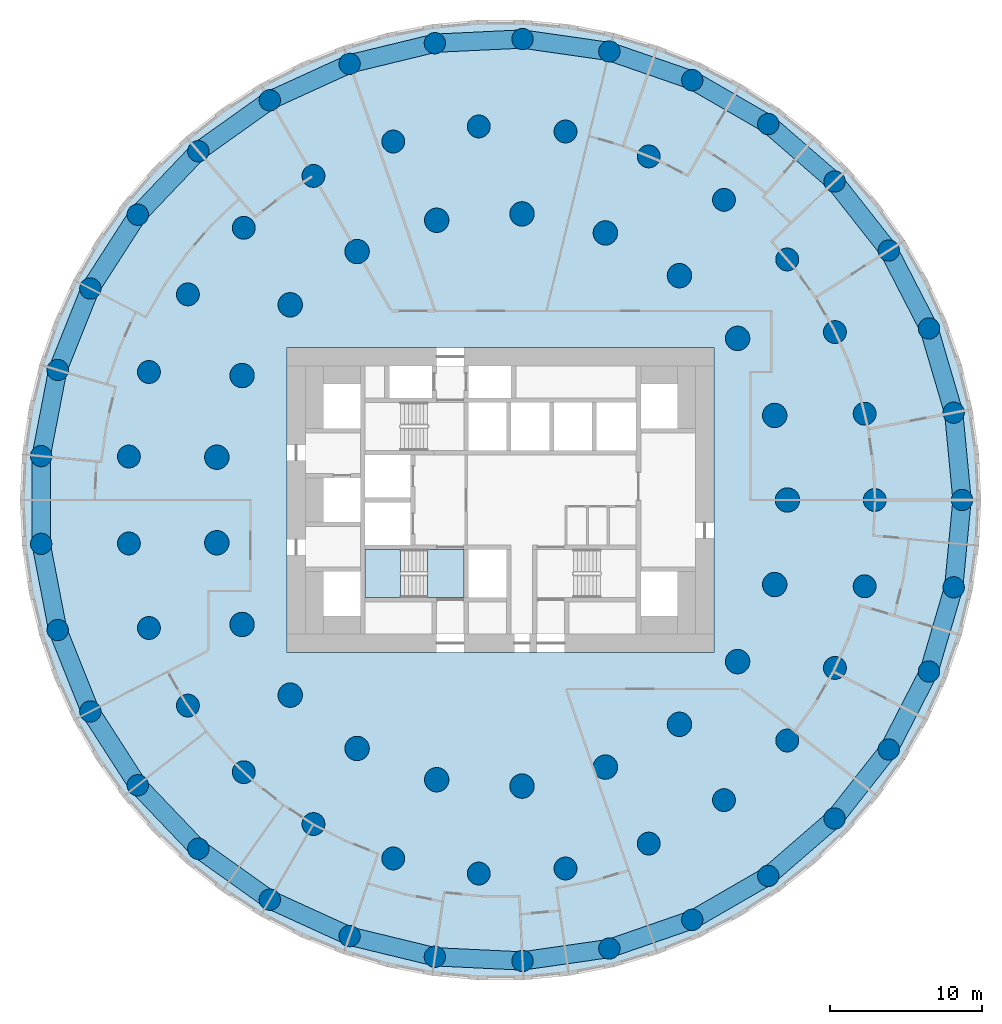
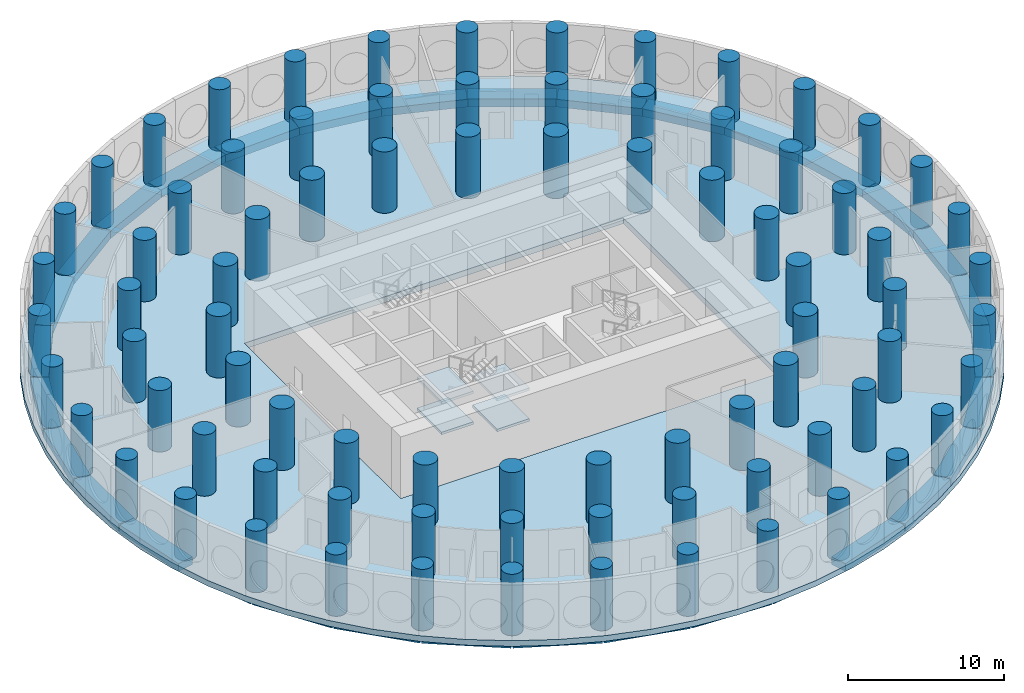
# One storey, part 1 of 12: 81 columns, 33 beams, 5 slabs, 1 element without a shape of its own.
"""IFC4 building model written with IfcOpenShell, lengths in metres."""

from ifc_helpers import new_model, si_unit, direction, frame, origin, origin_2d, place, context, subcontext, project, spatial, polyline, rectangle, circle, outline, extrude, material, layer, layer_set, material_profile, profile_set, type_object, element, aggregate, save


model = new_model("IFC4")

# Units and contexts
model_context = context("Model", 3, precision=1e-05, world=origin(), true_north=direction((0.0, 1.0)))
body_context = subcontext(model_context, "Body", "Model", "MODEL_VIEW")
ifc_project = project(units=[si_unit("LENGTHUNIT", "METRE"), si_unit("AREAUNIT", "SQUARE_METRE"), si_unit("VOLUMEUNIT", "CUBIC_METRE"), si_unit("PLANEANGLEUNIT", "RADIAN"), si_unit("MASSUNIT", "GRAM", prefix="KILO")], contexts=[model_context])

# Site, building, storey
site_placement = place(None, origin())
site = spatial("IfcSite", under=ifc_project, at=site_placement, CompositionType="ELEMENT")
building_placement = place(site_placement, origin())
building = spatial("IfcBuilding", under=site, at=building_placement, Name="Tracery Tower", CompositionType="ELEMENT")
storey_placement = place(building_placement, frame((0.0, 0.0, 13.800048828125)))
storey = spatial("IfcBuildingStorey", under=building, at=storey_placement, Name="L02", CompositionType="ELEMENT", Elevation=13.800048828125)

# Columns
ifc_material_1 = material(Name="Concrete C60/75", Category="concrete")
ifc_material_profile_1 = material_profile(ifc_material_1, circle(Radius=0.699951171875, at=origin_2d()), Name="RC D1400")
ifc_profile_set_1 = profile_set([ifc_material_profile_1], Name="Concrete C60/75")
column_type_1 = type_object("IfcColumnType", Name="Ring 0 column 1400", PredefinedType="COLUMN", material=ifc_profile_set_1)
for number, where, z_axis, x_axis, name in (
    (1, (30.274658203125, 0.0, 0.0), (0.0, 0.0, 1.0), (1.0, 0.0, 0.0), "Ring 0 column 00 at L02"),
    (2, (29.7275390625, 5.7294921875, 0.0), (0.0, 0.0, 1.0), (1.0, 0.0, 0.0), "Ring 0 column 01 at L02"),
    (3, (28.10595703125, 11.251953125, 0.0), (0.0, 0.0, 1.0), (1.0, 0.0, 0.0), "Ring 0 column 02 at L02"),
    (4, (25.468505859375, 16.36767578125, 0.0), (0.0, 0.0, 1.0), (1.0, 0.0, 0.0), "Ring 0 column 03 at L02"),
    (5, (21.910888671875, 20.891845703125, 0.0), (0.0, 0.0, 1.0), (1.0, 0.0, 0.0), "Ring 0 column 04 at L02"),
    (6, (17.56103515625, 24.660888671875, 0.0), (0.0, 0.0, 1.0), (1.0, 0.0, 0.0), "Ring 0 column 05 at L02"),
    (7, (12.576416015625, 27.538818359375, 0.0), (0.0, 0.0, 1.0), (1.0, 0.0, 0.0), "Ring 0 column 06 at L02"),
    (8, (7.137451171875, 29.421142578125, 0.0), (0.0, 0.0, 1.0), (1.0, 0.0, 0.0), "Ring 0 column 07 at L02"),
    (9, (1.4404296875, 30.240234375, 0.0), (0.0, 0.0, 1.0), (1.0, 0.0, 0.0), "Ring 0 column 08 at L02"),
    (10, (-4.30859375, 29.96630859375, 0.0), (0.0, 0.0, 1.0), (1.0, 0.0, 0.0), "Ring 0 column 09 at L02"),
    (11, (-9.90185546875, 28.609619140625, 0.0), (0.0, 0.0, 1.0), (1.0, 0.0, 0.0), "Ring 0 column 10 at L02"),
    (12, (-15.13720703125, 26.218505859375, 0.0), (0.0, 0.0, 1.0), (1.0, 0.0, 0.0), "Ring 0 column 11 at L02"),
    (13, (-19.82568359375, 22.8798828125, 0.0), (0.0, 0.0, 1.0), (1.0, 0.0, 0.0), "Ring 0 column 12 at L02"),
    (14, (-23.79736328125, 18.714599609375, 0.0), (0.0, 0.0, 1.0), (1.0, 0.0, 0.0), "Ring 0 column 13 at L02"),
    (15, (-26.9091796875, 13.87255859375, 0.0), (0.0, 0.0, 1.0), (1.0, 0.0, 0.0), "Ring 0 column 14 at L02"),
    (16, (-29.04833984375, 8.529296875, 0.0), (0.0, 0.0, 1.0), (1.0, 0.0, 0.0), "Ring 0 column 15 at L02"),
    (17, (-30.137451171875, 2.877685546875, 0.0), (0.0, 0.0, 1.0), (1.0, 0.0, 0.0), "Ring 0 column 16 at L02"),
    (18, (-30.137451171875, -2.877685546875, 0.0), (0.0, 0.0, 1.0), (1.0, 0.0, 0.0), "Ring 0 column 17 at L02"),
    (19, (-29.04833984375, -8.529296875, 0.0), (0.0, 0.0, 1.0), (1.0, 0.0, 0.0), "Ring 0 column 18 at L02"),
    (20, (-26.9091796875, -13.87255859375, 0.0), (0.0, 0.0, 1.0), (1.0, 0.0, 0.0), "Ring 0 column 19 at L02"),
    (21, (-23.79736328125, -18.714599609375, 0.0), (0.0, 0.0, 1.0), (1.0, 0.0, 0.0), "Ring 0 column 20 at L02"),
    (22, (-19.82568359375, -22.8798828125, 0.0), (0.0, 0.0, 1.0), (1.0, 0.0, 0.0), "Ring 0 column 21 at L02"),
    (23, (-15.13720703125, -26.218505859375, 0.0), (0.0, 0.0, 1.0), (1.0, 0.0, 0.0), "Ring 0 column 22 at L02"),
    (24, (-9.90185546875, -28.609619140625, 0.0), (0.0, 0.0, 1.0), (1.0, 0.0, 0.0), "Ring 0 column 23 at L02"),
    (25, (-4.30859375, -29.96630859375, 0.0), (0.0, 0.0, 1.0), (1.0, 0.0, 0.0), "Ring 0 column 24 at L02"),
    (26, (1.4404296875, -30.240234375, 0.0), (0.0, 0.0, 1.0), (1.0, 0.0, 0.0), "Ring 0 column 25 at L02"),
    (27, (7.137451171875, -29.421142578125, 0.0), (0.0, 0.0, 1.0), (1.0, 0.0, 0.0), "Ring 0 column 26 at L02"),
    (28, (12.576416015625, -27.538818359375, 0.0), (0.0, 0.0, 1.0), (1.0, 0.0, 0.0), "Ring 0 column 27 at L02"),
    (29, (17.56103515625, -24.660888671875, 0.0), (0.0, 0.0, 1.0), (1.0, 0.0, 0.0), "Ring 0 column 28 at L02"),
    (30, (21.910888671875, -20.891845703125, 0.0), (0.0, 0.0, 1.0), (1.0, 0.0, 0.0), "Ring 0 column 29 at L02"),
    (31, (25.468505859375, -16.36767578125, 0.0), (0.0, 0.0, 1.0), (1.0, 0.0, 0.0), "Ring 0 column 30 at L02"),
    (32, (28.10595703125, -11.251953125, 0.0), (0.0, 0.0, 1.0), (1.0, 0.0, 0.0), "Ring 0 column 31 at L02"),
    (33, (29.7275390625, -5.7294921875, 0.0), (0.0, 0.0, 1.0), (1.0, 0.0, 0.0), "Ring 0 column 32 at L02"),
):
    element("IfcColumn", number, at=place(storey_placement, frame(where, z_axis=z_axis, x_axis=x_axis)), inside=storey, type_object=column_type_1, Name=name, PredefinedType="COLUMN", context=body_context, shape_type="SweptSolid", body=[
        extrude(circle(Radius=0.699951171875, at=origin_2d()), origin(), (0.0, 0.0, 1.0), 4.800048828125),
    ])
ifc_material_2 = material(Name="Concrete C60/75", Category="concrete")
ifc_material_profile_2 = material_profile(ifc_material_2, circle(Radius=0.75, at=origin_2d()), Name="RC D1500")
ifc_profile_set_2 = profile_set([ifc_material_profile_2], Name="Concrete C60/75")
column_type_2 = type_object("IfcColumnType", Name="Ring 1 column 1500", PredefinedType="COLUMN", material=ifc_profile_set_2)
for number, where, z_axis, x_axis, name in (
    (34, (24.547607421875, 0.0, 0.0), (0.0, 0.0, 1.0), (1.0, 0.0, 0.0), "Ring 1 column 00 at L02"),
    (35, (23.885986328125, 5.6611328125, 0.0), (0.0, 0.0, 1.0), (1.0, 0.0, 0.0), "Ring 1 column 01 at L02"),
    (36, (21.9365234375, 11.01708984375, 0.0), (0.0, 0.0, 1.0), (1.0, 0.0, 0.0), "Ring 1 column 02 at L02"),
    (37, (18.8046875, 15.779052734375, 0.0), (0.0, 0.0, 1.0), (1.0, 0.0, 0.0), "Ring 1 column 03 at L02"),
    (38, (14.658935546875, 19.690185546875, 0.0), (0.0, 0.0, 1.0), (1.0, 0.0, 0.0), "Ring 1 column 04 at L02"),
    (39, (9.722900390625, 22.5400390625, 0.0), (0.0, 0.0, 1.0), (1.0, 0.0, 0.0), "Ring 1 column 05 at L02"),
    (40, (4.2626953125, 24.1748046875, 0.0), (0.0, 0.0, 1.0), (1.0, 0.0, 0.0), "Ring 1 column 06 at L02"),
    (41, (-1.42724609375, 24.506103515625, 0.0), (0.0, 0.0, 1.0), (1.0, 0.0, 0.0), "Ring 1 column 07 at L02"),
    (42, (-7.040283203125, 23.516357421875, 0.0), (0.0, 0.0, 1.0), (1.0, 0.0, 0.0), "Ring 1 column 08 at L02"),
    (43, (-12.273681640625, 21.2587890625, 0.0), (0.0, 0.0, 1.0), (1.0, 0.0, 0.0), "Ring 1 column 09 at L02"),
    (44, (-16.845703125, 17.855224609375, 0.0), (0.0, 0.0, 1.0), (1.0, 0.0, 0.0), "Ring 1 column 10 at L02"),
    (45, (-20.50927734375, 13.4892578125, 0.0), (0.0, 0.0, 1.0), (1.0, 0.0, 0.0), "Ring 1 column 11 at L02"),
    (46, (-23.0673828125, 8.395751953125, 0.0), (0.0, 0.0, 1.0), (1.0, 0.0, 0.0), "Ring 1 column 12 at L02"),
    (47, (-24.381591796875, 2.849853515625, 0.0), (0.0, 0.0, 1.0), (1.0, 0.0, 0.0), "Ring 1 column 13 at L02"),
    (48, (-24.381591796875, -2.849853515625, 0.0), (0.0, 0.0, 1.0), (1.0, 0.0, 0.0), "Ring 1 column 14 at L02"),
    (49, (-23.0673828125, -8.395751953125, 0.0), (0.0, 0.0, 1.0), (1.0, 0.0, 0.0), "Ring 1 column 15 at L02"),
    (50, (-20.50927734375, -13.4892578125, 0.0), (0.0, 0.0, 1.0), (1.0, 0.0, 0.0), "Ring 1 column 16 at L02"),
    (51, (-16.845703125, -17.85546875, 0.0), (0.0, 0.0, 1.0), (1.0, 0.0, 0.0), "Ring 1 column 17 at L02"),
    (52, (-12.27392578125, -21.2587890625, 0.0), (0.0, 0.0, 1.0), (1.0, 0.0, 0.0), "Ring 1 column 18 at L02"),
    (53, (-7.040283203125, -23.516357421875, 0.0), (0.0, 0.0, 1.0), (1.0, 0.0, 0.0), "Ring 1 column 19 at L02"),
    (54, (-1.42724609375, -24.506103515625, 0.0), (0.0, 0.0, 1.0), (1.0, 0.0, 0.0), "Ring 1 column 20 at L02"),
    (55, (4.2626953125, -24.1748046875, 0.0), (0.0, 0.0, 1.0), (1.0, 0.0, 0.0), "Ring 1 column 21 at L02"),
    (56, (9.722900390625, -22.5400390625, 0.0), (0.0, 0.0, 1.0), (1.0, 0.0, 0.0), "Ring 1 column 22 at L02"),
    (57, (14.658935546875, -19.690185546875, 0.0), (0.0, 0.0, 1.0), (1.0, 0.0, 0.0), "Ring 1 column 23 at L02"),
    (58, (18.8046875, -15.779052734375, 0.0), (0.0, 0.0, 1.0), (1.0, 0.0, 0.0), "Ring 1 column 24 at L02"),
    (59, (21.9365234375, -11.01708984375, 0.0), (0.0, 0.0, 1.0), (1.0, 0.0, 0.0), "Ring 1 column 25 at L02"),
    (60, (23.885986328125, -5.6611328125, 0.0), (0.0, 0.0, 1.0), (1.0, 0.0, 0.0), "Ring 1 column 26 at L02"),
):
    element("IfcColumn", number, at=place(storey_placement, frame(where, z_axis=z_axis, x_axis=x_axis)), inside=storey, type_object=column_type_2, Name=name, PredefinedType="COLUMN", context=body_context, shape_type="SweptSolid", body=[
        extrude(circle(Radius=0.75, at=origin_2d()), origin(), (0.0, 0.0, 1.0), 4.800048828125),
    ])
ifc_material_3 = material(Name="Concrete C60/75", Category="concrete")
ifc_material_profile_3 = material_profile(ifc_material_3, circle(Radius=0.800048828125, at=origin_2d()), Name="RC D1600")
ifc_profile_set_3 = profile_set([ifc_material_profile_3], Name="Concrete C60/75")
column_type_3 = type_object("IfcColumnType", Name="Ring 2 column 1600", PredefinedType="COLUMN", material=ifc_profile_set_3)
for number, where, z_axis, x_axis, name in (
    (61, (18.822265625, 0.0, 0.0), (0.0, 0.0, 1.0), (1.0, 0.0, 0.0), "Ring 2 column 00 at L02"),
    (62, (17.986083984375, 5.5478515625, 0.0), (0.0, 0.0, 1.0), (1.0, 0.0, 0.0), "Ring 2 column 01 at L02"),
    (63, (15.551513671875, 10.602783203125, 0.0), (0.0, 0.0, 1.0), (1.0, 0.0, 0.0), "Ring 2 column 02 at L02"),
    (64, (11.7353515625, 14.7158203125, 0.0), (0.0, 0.0, 1.0), (1.0, 0.0, 0.0), "Ring 2 column 03 at L02"),
    (65, (6.87646484375, 17.52099609375, 0.0), (0.0, 0.0, 1.0), (1.0, 0.0, 0.0), "Ring 2 column 04 at L02"),
    (66, (1.406494140625, 18.76953125, 0.0), (0.0, 0.0, 1.0), (1.0, 0.0, 0.0), "Ring 2 column 05 at L02"),
    (67, (-4.188232421875, 18.350341796875, 0.0), (0.0, 0.0, 1.0), (1.0, 0.0, 0.0), "Ring 2 column 06 at L02"),
    (68, (-9.4111328125, 16.300537109375, 0.0), (0.0, 0.0, 1.0), (1.0, 0.0, 0.0), "Ring 2 column 07 at L02"),
    (69, (-13.797607421875, 12.802490234375, 0.0), (0.0, 0.0, 1.0), (1.0, 0.0, 0.0), "Ring 2 column 08 at L02"),
    (70, (-16.958251953125, 8.16650390625, 0.0), (0.0, 0.0, 1.0), (1.0, 0.0, 0.0), "Ring 2 column 09 at L02"),
    (71, (-18.612060546875, 2.805419921875, 0.0), (0.0, 0.0, 1.0), (1.0, 0.0, 0.0), "Ring 2 column 10 at L02"),
    (72, (-18.612060546875, -2.805419921875, 0.0), (0.0, 0.0, 1.0), (1.0, 0.0, 0.0), "Ring 2 column 11 at L02"),
    (73, (-16.958251953125, -8.166748046875, 0.0), (0.0, 0.0, 1.0), (1.0, 0.0, 0.0), "Ring 2 column 12 at L02"),
    (74, (-13.797607421875, -12.80224609375, 0.0), (0.0, 0.0, 1.0), (1.0, 0.0, 0.0), "Ring 2 column 13 at L02"),
    (75, (-9.4111328125, -16.300537109375, 0.0), (0.0, 0.0, 1.0), (1.0, 0.0, 0.0), "Ring 2 column 14 at L02"),
    (76, (-4.188232421875, -18.350341796875, 0.0), (0.0, 0.0, 1.0), (1.0, 0.0, 0.0), "Ring 2 column 15 at L02"),
    (77, (1.406494140625, -18.76953125, 0.0), (0.0, 0.0, 1.0), (1.0, 0.0, 0.0), "Ring 2 column 16 at L02"),
    (78, (6.87646484375, -17.52099609375, 0.0), (0.0, 0.0, 1.0), (1.0, 0.0, 0.0), "Ring 2 column 17 at L02"),
    (79, (11.7353515625, -14.7158203125, 0.0), (0.0, 0.0, 1.0), (1.0, 0.0, 0.0), "Ring 2 column 18 at L02"),
    (80, (15.551513671875, -10.602783203125, 0.0), (0.0, 0.0, 1.0), (1.0, 0.0, 0.0), "Ring 2 column 19 at L02"),
    (81, (17.986083984375, -5.5478515625, 0.0), (0.0, 0.0, 1.0), (1.0, 0.0, 0.0), "Ring 2 column 20 at L02"),
):
    element("IfcColumn", number, at=place(storey_placement, frame(where, z_axis=z_axis, x_axis=x_axis)), inside=storey, type_object=column_type_3, Name=name, PredefinedType="COLUMN", context=body_context, shape_type="SweptSolid", body=[
        extrude(circle(Radius=0.800048828125, at=origin_2d()), origin(), (0.0, 0.0, 1.0), 4.800048828125),
    ])

# Beams
ifc_material_4 = material(Name="Concrete C60/75", Category="concrete")
ifc_material_profile_4 = material_profile(ifc_material_4, rectangle(XDim=1.199951171875, YDim=0.60009765625, at=origin_2d()), Name="RC 1200x600")
ifc_profile_set_4 = profile_set([ifc_material_profile_4], Name="Concrete C60/75")
beam_type = type_object("IfcBeamType", Name="Perimeter band beam 1200x600", PredefinedType="BEAM", material=ifc_profile_set_4)
for number, where, z_axis, x_axis, name in (
    (82, (30.274658203125, 0.0, -0.75), (-0.095059309677, 0.995471610667, 0.0), (-0.995471610667, -0.095059309677, 0.0), "Perimeter beam 0.00 under L02"),
    (83, (29.7275390625, 5.7294921875, -0.75), (-0.281739145896, 0.959491038869, 0.0), (-0.959491038869, -0.281739145896, 0.0), "Perimeter beam 0.01 under L02"),
    (84, (28.10595703125, 11.251953125, -0.75), (-0.458242010493, 0.88882746347, 0.0), (-0.88882746347, -0.458242010493, 0.0), "Perimeter beam 0.02 under L02"),
):
    element("IfcBeam", number, at=place(storey_placement, frame(where, z_axis=z_axis, x_axis=x_axis)), inside=storey, type_object=beam_type, Name=name, PredefinedType="BEAM", context=body_context, shape_type="SweptSolid", body=[
        extrude(rectangle(XDim=1.199951171875, YDim=0.60009765625, at=origin_2d()), origin(), (0.0, 0.0, 1.0), 5.755615234375),
    ])
beam_1_placement = place(storey_placement, frame((25.468505859375, 16.36767578125, -0.75), z_axis=(-0.618134362257, 0.786072458618, 0.0), x_axis=(-0.786072458618, -0.618134362257, 0.0)))
element("IfcBeam", 85, at=beam_1_placement, inside=storey, type_object=beam_type, Name="Perimeter beam 0.03 under L02", PredefinedType="BEAM", context=body_context, shape_type="SweptSolid", body=[
    extrude(rectangle(XDim=1.199951171875, YDim=0.60009765625, at=origin_2d()), origin(), (0.0, 0.0, 1.0), 5.75537109375),
])
beam_2_placement = place(storey_placement, frame((21.910888671875, 20.891845703125, -0.75), z_axis=(-0.755760456715, 0.65484817482, 0.0), x_axis=(-0.65484817482, -0.755760456715, 0.0)))
element("IfcBeam", 86, at=beam_2_placement, inside=storey, type_object=beam_type, Name="Perimeter beam 0.04 under L02", PredefinedType="BEAM", context=body_context, shape_type="SweptSolid", body=[
    extrude(rectangle(XDim=1.199951171875, YDim=0.60009765625, at=origin_2d()), origin(), (0.0, 0.0, 1.0), 5.755615234375),
])
beam_3_placement = place(storey_placement, frame((17.56103515625, 24.660888671875, -0.75), z_axis=(-0.866021003874, 0.50000762079, 0.0), x_axis=(-0.50000762079, -0.866021003874, 0.0)))
element("IfcBeam", 87, at=beam_3_placement, inside=storey, type_object=beam_type, Name="Perimeter beam 0.05 under L02", PredefinedType="BEAM", context=body_context, shape_type="SweptSolid", body=[
    extrude(rectangle(XDim=1.199951171875, YDim=0.60009765625, at=origin_2d()), origin(), (0.0, 0.0, 1.0), 5.755859375),
])
beam_4_placement = place(storey_placement, frame((12.576416015625, 27.538818359375, -0.75), z_axis=(-0.945007252869, 0.327049372458, 0.0), x_axis=(-0.327049372458, -0.945007252869, 0.0)))
element("IfcBeam", 88, at=beam_4_placement, inside=storey, type_object=beam_type, Name="Perimeter beam 0.06 under L02", PredefinedType="BEAM", context=body_context, shape_type="SweptSolid", body=[
    extrude(rectangle(XDim=1.199951171875, YDim=0.60009765625, at=origin_2d()), origin(), (0.0, 0.0, 1.0), 5.75537109375),
])
for number, where, z_axis, x_axis, name in (
    (89, (7.137451171875, 29.421142578125, -0.75), (-0.989821839174, 0.142312075013, 0.0), (-0.142312075013, -0.989821839174, 0.0), "Perimeter beam 0.07 under L02"),
    (90, (1.4404296875, 30.240234375, -0.75), (-0.998866793759, -0.047593364303, 0.0), (0.047593364303, -0.998866793759, 0.0), "Perimeter beam 0.08 under L02"),
):
    element("IfcBeam", number, at=place(storey_placement, frame(where, z_axis=z_axis, x_axis=x_axis)), inside=storey, type_object=beam_type, Name=name, PredefinedType="BEAM", context=body_context, shape_type="SweptSolid", body=[
        extrude(rectangle(XDim=1.199951171875, YDim=0.60009765625, at=origin_2d()), origin(), (0.0, 0.0, 1.0), 5.755615234375),
    ])
beam_5_placement = place(storey_placement, frame((-4.30859375, 29.96630859375, -0.75), z_axis=(-0.971820371509, -0.235722645328, 0.0), x_axis=(0.235722645328, -0.971820371509, 0.0)))
element("IfcBeam", 91, at=beam_5_placement, inside=storey, type_object=beam_type, Name="Perimeter beam 0.09 under L02", PredefinedType="BEAM", context=body_context, shape_type="SweptSolid", body=[
    extrude(rectangle(XDim=1.199951171875, YDim=0.60009765625, at=origin_2d()), origin(), (0.0, 0.0, 1.0), 5.75537109375),
])
for number, where, z_axis, x_axis, name in (
    (92, (-9.90185546875, 28.609619140625, -0.75), (-0.909618316865, -0.415444963411, 0.0), (0.415444963411, -0.909618316865, 0.0), "Perimeter beam 0.10 under L02"),
    (93, (-15.13720703125, 26.218505859375, -0.75), (-0.8145780864, -0.580053912285, 0.0), (0.580053912285, -0.8145780864, 0.0), "Perimeter beam 0.11 under L02"),
):
    element("IfcBeam", number, at=place(storey_placement, frame(where, z_axis=z_axis, x_axis=x_axis)), inside=storey, type_object=beam_type, Name=name, PredefinedType="BEAM", context=body_context, shape_type="SweptSolid", body=[
        extrude(rectangle(XDim=1.199951171875, YDim=0.60009765625, at=origin_2d()), origin(), (0.0, 0.0, 1.0), 5.755615234375),
    ])
beam_6_placement = place(storey_placement, frame((-19.82568359375, 22.8798828125, -0.75), z_axis=(-0.690087218267, -0.723726212863, 0.0), x_axis=(0.723726212863, -0.690087218267, 0.0)))
element("IfcBeam", 94, at=beam_6_placement, inside=storey, type_object=beam_type, Name="Perimeter beam 0.12 under L02", PredefinedType="BEAM", context=body_context, shape_type="SweptSolid", body=[
    extrude(rectangle(XDim=1.199951171875, YDim=0.60009765625, at=origin_2d()), origin(), (0.0, 0.0, 1.0), 5.75537109375),
])
beam_7_placement = place(storey_placement, frame((-23.79736328125, 18.714599609375, -0.75), z_axis=(-0.540643964602, -0.841251510274, 0.0), x_axis=(0.841251510274, -0.540643964602, 0.0)))
element("IfcBeam", 95, at=beam_7_placement, inside=storey, type_object=beam_type, Name="Perimeter beam 0.13 under L02", PredefinedType="BEAM", context=body_context, shape_type="SweptSolid", body=[
    extrude(rectangle(XDim=1.199951171875, YDim=0.60009765625, at=origin_2d()), origin(), (0.0, 0.0, 1.0), 5.755859375),
])
for number, where, z_axis, x_axis, name in (
    (96, (-26.9091796875, 13.87255859375, -0.75), (-0.371668572289, -0.928365484264, 0.0), (0.928365484264, -0.371668572289, 0.0), "Perimeter beam 0.14 under L02"),
    (97, (-29.04833984375, 8.529296875, -0.75), (-0.189226539295, -0.981933458451, 0.0), (0.981933458451, -0.189226539295, 0.0), "Perimeter beam 0.15 under L02"),
):
    element("IfcBeam", number, at=place(storey_placement, frame(where, z_axis=z_axis, x_axis=x_axis)), inside=storey, type_object=beam_type, Name=name, PredefinedType="BEAM", context=body_context, shape_type="SweptSolid", body=[
        extrude(rectangle(XDim=1.199951171875, YDim=0.60009765625, at=origin_2d()), origin(), (0.0, 0.0, 1.0), 5.755615234375),
    ])
beam_8_placement = place(storey_placement, frame((-30.137451171875, 2.877685546875, -0.75), z_axis=(0.0, -1.0, 0.0), x_axis=(1.0, 0.0, 0.0)))
element("IfcBeam", 98, at=beam_8_placement, inside=storey, type_object=beam_type, Name="Perimeter beam 0.16 under L02", PredefinedType="BEAM", context=body_context, shape_type="SweptSolid", body=[
    extrude(rectangle(XDim=1.199951171875, YDim=0.60009765625, at=origin_2d()), origin(), (0.0, 0.0, 1.0), 5.75537109375),
])
for number, where, z_axis, x_axis, name in (
    (99, (-30.137451171875, -2.877685546875, -0.75), (0.189226539295, -0.981933458451, 0.0), (0.981933458451, 0.189226539295, 0.0), "Perimeter beam 0.17 under L02"),
    (100, (-29.04833984375, -8.529296875, -0.75), (0.371668572289, -0.928365484264, 0.0), (0.928365484264, 0.371668572289, 0.0), "Perimeter beam 0.18 under L02"),
):
    element("IfcBeam", number, at=place(storey_placement, frame(where, z_axis=z_axis, x_axis=x_axis)), inside=storey, type_object=beam_type, Name=name, PredefinedType="BEAM", context=body_context, shape_type="SweptSolid", body=[
        extrude(rectangle(XDim=1.199951171875, YDim=0.60009765625, at=origin_2d()), origin(), (0.0, 0.0, 1.0), 5.755615234375),
    ])
beam_9_placement = place(storey_placement, frame((-26.9091796875, -13.87255859375, -0.75), z_axis=(0.540643964602, -0.841251510274, 0.0), x_axis=(0.841251510274, 0.540643964602, 0.0)))
element("IfcBeam", 101, at=beam_9_placement, inside=storey, type_object=beam_type, Name="Perimeter beam 0.19 under L02", PredefinedType="BEAM", context=body_context, shape_type="SweptSolid", body=[
    extrude(rectangle(XDim=1.199951171875, YDim=0.60009765625, at=origin_2d()), origin(), (0.0, 0.0, 1.0), 5.755859375),
])
beam_10_placement = place(storey_placement, frame((-23.79736328125, -18.714599609375, -0.75), z_axis=(0.690087218267, -0.723726212863, 0.0), x_axis=(0.723726212863, 0.690087218267, 0.0)))
element("IfcBeam", 102, at=beam_10_placement, inside=storey, type_object=beam_type, Name="Perimeter beam 0.20 under L02", PredefinedType="BEAM", context=body_context, shape_type="SweptSolid", body=[
    extrude(rectangle(XDim=1.199951171875, YDim=0.60009765625, at=origin_2d()), origin(), (0.0, 0.0, 1.0), 5.75537109375),
])
for number, where, z_axis, x_axis, name in (
    (103, (-19.82568359375, -22.8798828125, -0.75), (0.8145780864, -0.580053912285, 0.0), (0.580053912285, 0.8145780864, 0.0), "Perimeter beam 0.21 under L02"),
    (104, (-15.13720703125, -26.218505859375, -0.75), (0.909618316865, -0.415444963411, 0.0), (0.415444963411, 0.909618316865, 0.0), "Perimeter beam 0.22 under L02"),
):
    element("IfcBeam", number, at=place(storey_placement, frame(where, z_axis=z_axis, x_axis=x_axis)), inside=storey, type_object=beam_type, Name=name, PredefinedType="BEAM", context=body_context, shape_type="SweptSolid", body=[
        extrude(rectangle(XDim=1.199951171875, YDim=0.60009765625, at=origin_2d()), origin(), (0.0, 0.0, 1.0), 5.755615234375),
    ])
beam_11_placement = place(storey_placement, frame((-9.90185546875, -28.609619140625, -0.75), z_axis=(0.971820371509, -0.235722645328, 0.0), x_axis=(0.235722645328, 0.971820371509, 0.0)))
element("IfcBeam", 105, at=beam_11_placement, inside=storey, type_object=beam_type, Name="Perimeter beam 0.23 under L02", PredefinedType="BEAM", context=body_context, shape_type="SweptSolid", body=[
    extrude(rectangle(XDim=1.199951171875, YDim=0.60009765625, at=origin_2d()), origin(), (0.0, 0.0, 1.0), 5.75537109375),
])
for number, where, z_axis, x_axis, name in (
    (106, (-4.30859375, -29.96630859375, -0.75), (0.998866793759, -0.047593364303, 0.0), (0.047593364303, 0.998866793759, 0.0), "Perimeter beam 0.24 under L02"),
    (107, (1.4404296875, -30.240234375, -0.75), (0.989821839174, 0.142312075013, 0.0), (-0.142312075013, 0.989821839174, 0.0), "Perimeter beam 0.25 under L02"),
):
    element("IfcBeam", number, at=place(storey_placement, frame(where, z_axis=z_axis, x_axis=x_axis)), inside=storey, type_object=beam_type, Name=name, PredefinedType="BEAM", context=body_context, shape_type="SweptSolid", body=[
        extrude(rectangle(XDim=1.199951171875, YDim=0.60009765625, at=origin_2d()), origin(), (0.0, 0.0, 1.0), 5.755615234375),
    ])
beam_12_placement = place(storey_placement, frame((7.137451171875, -29.421142578125, -0.75), z_axis=(0.945007252869, 0.327049372458, 0.0), x_axis=(-0.327049372458, 0.945007252869, 0.0)))
element("IfcBeam", 108, at=beam_12_placement, inside=storey, type_object=beam_type, Name="Perimeter beam 0.26 under L02", PredefinedType="BEAM", context=body_context, shape_type="SweptSolid", body=[
    extrude(rectangle(XDim=1.199951171875, YDim=0.60009765625, at=origin_2d()), origin(), (0.0, 0.0, 1.0), 5.75537109375),
])
beam_13_placement = place(storey_placement, frame((12.576416015625, -27.538818359375, -0.75), z_axis=(0.866021003874, 0.50000762079, 0.0), x_axis=(-0.50000762079, 0.866021003874, 0.0)))
element("IfcBeam", 109, at=beam_13_placement, inside=storey, type_object=beam_type, Name="Perimeter beam 0.27 under L02", PredefinedType="BEAM", context=body_context, shape_type="SweptSolid", body=[
    extrude(rectangle(XDim=1.199951171875, YDim=0.60009765625, at=origin_2d()), origin(), (0.0, 0.0, 1.0), 5.755859375),
])
beam_14_placement = place(storey_placement, frame((17.56103515625, -24.660888671875, -0.75), z_axis=(0.755760456715, 0.65484817482, 0.0), x_axis=(-0.65484817482, 0.755760456715, 0.0)))
element("IfcBeam", 110, at=beam_14_placement, inside=storey, type_object=beam_type, Name="Perimeter beam 0.28 under L02", PredefinedType="BEAM", context=body_context, shape_type="SweptSolid", body=[
    extrude(rectangle(XDim=1.199951171875, YDim=0.60009765625, at=origin_2d()), origin(), (0.0, 0.0, 1.0), 5.755615234375),
])
beam_15_placement = place(storey_placement, frame((21.910888671875, -20.891845703125, -0.75), z_axis=(0.618134362257, 0.786072458618, 0.0), x_axis=(-0.786072458618, 0.618134362257, 0.0)))
element("IfcBeam", 111, at=beam_15_placement, inside=storey, type_object=beam_type, Name="Perimeter beam 0.29 under L02", PredefinedType="BEAM", context=body_context, shape_type="SweptSolid", body=[
    extrude(rectangle(XDim=1.199951171875, YDim=0.60009765625, at=origin_2d()), origin(), (0.0, 0.0, 1.0), 5.75537109375),
])
for number, where, z_axis, x_axis, name in (
    (112, (25.468505859375, -16.36767578125, -0.75), (0.458242010493, 0.88882746347, 0.0), (-0.88882746347, 0.458242010493, 0.0), "Perimeter beam 0.30 under L02"),
    (113, (28.10595703125, -11.251953125, -0.75), (0.281739145896, 0.959491038869, 0.0), (-0.959491038869, 0.281739145896, 0.0), "Perimeter beam 0.31 under L02"),
    (114, (29.7275390625, -5.7294921875, -0.75), (0.095059309677, 0.995471610667, 0.0), (-0.995471610667, 0.095059309677, 0.0), "Perimeter beam 0.32 under L02"),
):
    element("IfcBeam", number, at=place(storey_placement, frame(where, z_axis=z_axis, x_axis=x_axis)), inside=storey, type_object=beam_type, Name=name, PredefinedType="BEAM", context=body_context, shape_type="SweptSolid", body=[
        extrude(rectangle(XDim=1.199951171875, YDim=0.60009765625, at=origin_2d()), origin(), (0.0, 0.0, 1.0), 5.755615234375),
    ])

# Slabs
ifc_material_5 = material(Name="Concrete C50/60", Category="concrete")
ifc_layer_1 = layer(ifc_material_5, 0.449951171875)
ifc_layer_set_1 = layer_set([ifc_layer_1], Name="Floor slab 450")
slab_type_1 = type_object("IfcSlabType", Name="Floor slab 450", PredefinedType="FLOOR", material=ifc_layer_set_1)
slab_1_placement = place(storey_placement, frame((0.0, 0.0, -0.449951171875)))
element("IfcSlab", 115, at=slab_1_placement, inside=storey, type_object=slab_type_1, Name="Floor slab L02", PredefinedType="FLOOR", context=body_context, shape_type="SweptSolid", body=[
    extrude(outline(polyline([(31.524658203125, 0.0), (31.3818359375, 2.99658203125), (30.954833984375, 5.966064453125), (30.24755859375, 8.881591796875), (29.266357421875, 11.716552734375), (28.020263671875, 14.4453125), (26.520263671875, 17.04345703125), (24.780029296875, 19.4873046875), (22.8154296875, 21.75439453125), (20.644287109375, 23.82470703125), (18.2861328125, 25.67919921875), (15.76220703125, 27.301025390625), (13.095703125, 28.67578125), (10.310791015625, 29.790771484375), (7.43212890625, 30.635986328125), (4.486328125, 31.20361328125), (1.5, 31.489013671875), (-1.5, 31.489013671875), (-4.486328125, 31.20361328125), (-7.43212890625, 30.635986328125), (-10.310791015625, 29.790771484375), (-13.095703125, 28.67578125), (-15.76220703125, 27.301025390625), (-18.2861328125, 25.67919921875), (-20.644287109375, 23.82470703125), (-22.8154296875, 21.75439453125), (-24.780029296875, 19.4873046875), (-26.520263671875, 17.04345703125), (-28.020263671875, 14.4453125), (-29.266357421875, 11.716552734375), (-30.24755859375, 8.881591796875), (-30.954833984375, 5.966064453125), (-31.3818359375, 2.99658203125), (-31.524658203125, 0.0), (-31.3818359375, -2.99658203125), (-30.954833984375, -5.966064453125), (-30.24755859375, -8.881591796875), (-29.266357421875, -11.716552734375), (-28.020263671875, -14.4453125), (-26.520263671875, -17.04345703125), (-24.780029296875, -19.4873046875), (-22.8154296875, -21.75439453125), (-20.644287109375, -23.82470703125), (-18.2861328125, -25.67919921875), (-15.76220703125, -27.301025390625), (-13.095703125, -28.67578125), (-10.310791015625, -29.790771484375), (-7.43212890625, -30.635986328125), (-4.486328125, -31.20361328125), (-1.5, -31.489013671875), (1.5, -31.489013671875), (4.486328125, -31.20361328125), (7.43212890625, -30.635986328125), (10.310791015625, -29.790771484375), (13.095703125, -28.67578125), (15.76220703125, -27.301025390625), (18.2861328125, -25.67919921875), (20.644287109375, -23.82470703125), (22.8154296875, -21.75439453125), (24.780029296875, -19.4873046875), (26.520263671875, -17.04345703125), (28.020263671875, -14.4453125), (29.266357421875, -11.716552734375), (30.24755859375, -8.881591796875), (30.954833984375, -5.966064453125), (31.3818359375, -2.99658203125), (31.524658203125, 0.0)]), holes=[polyline([(-14.0, -10.0), (14.0, -10.0), (14.0, 10.0), (-14.0, 10.0), (-14.0, -10.0)])]), origin(), (0.0, 0.0, 1.0), 0.449951171875),
])
ifc_material_6 = material(Name="Concrete C32/40", Category="concrete")
ifc_layer_2 = layer(ifc_material_6, 0.199951171875)
ifc_layer_set_2 = layer_set([ifc_layer_2], Name="Stair landing slab 200")
slab_type_2 = type_object("IfcSlabType", Name="Stair landing slab 200", PredefinedType="LANDING", material=ifc_layer_set_2)
slab_2_placement = place(storey_placement, frame((0.0, 0.0, -0.199951171875)))
element("IfcSlab", 116, at=slab_2_placement, inside=storey, type_object=slab_type_2, Name="L02 stair ST1 floor landing", PredefinedType="LANDING", context=body_context, shape_type="SweptSolid", body=[
    extrude(outline(polyline([(-2.39990234375, -3.25), (-4.800537109375, -3.25), (-4.800537109375, -6.39990234375), (-2.39990234375, -6.39990234375), (-2.39990234375, -3.25)])), origin(), (0.0, 0.0, 1.0), 0.199951171875),
])

# Stair, slabs
ifc_material_7 = material(Name="Concrete C32/40", Category="concrete")
stair_type = type_object("IfcStairType", Name="Core stair 32 risers", PredefinedType="HALF_TURN_STAIR", material=ifc_material_7)
stair_placement = place(storey_placement, origin())
stair = element("IfcStair", 117, at=stair_placement, inside=storey, type_object=stair_type, Name="L02 stair ST1", PredefinedType="HALF_TURN_STAIR")
slab_3_placement = place(storey_placement, frame((0.0, 0.0, 1.0)))
slab_3 = element("IfcSlab", 118, at=slab_3_placement, type_object=slab_type_2, Name="ST1 landing 1", PredefinedType="LANDING", context=body_context, shape_type="SweptSolid", body=[
    extrude(outline(polyline([(-6.54931640625, -3.25), (-8.89990234375, -3.25), (-8.89990234375, -6.39990234375), (-6.54931640625, -6.39990234375), (-6.54931640625, -3.25)])), origin(), (0.0, 0.0, 1.0), 0.199951171875),
])
slab_4_placement = place(storey_placement, frame((0.0, 0.0, 2.199951171875)))
slab_4 = element("IfcSlab", 119, at=slab_4_placement, type_object=slab_type_2, Name="ST1 landing 2", PredefinedType="LANDING", context=body_context, shape_type="SweptSolid", body=[
    extrude(outline(polyline([(-2.39990234375, -3.25), (-4.800537109375, -3.25), (-4.800537109375, -6.39990234375), (-2.39990234375, -6.39990234375), (-2.39990234375, -3.25)])), origin(), (0.0, 0.0, 1.0), 0.199951171875),
])
slab_5_placement = place(storey_placement, frame((0.0, 0.0, 3.39990234375)))
slab_5 = element("IfcSlab", 120, at=slab_5_placement, type_object=slab_type_2, Name="ST1 landing 3", PredefinedType="LANDING", context=body_context, shape_type="SweptSolid", body=[
    extrude(outline(polyline([(-6.54931640625, -3.25), (-8.89990234375, -3.25), (-8.89990234375, -6.39990234375), (-6.54931640625, -6.39990234375), (-6.54931640625, -3.25)])), origin(), (0.0, 0.0, 1.0), 0.199951171875),
])
aggregate(stair, [slab_3, slab_4, slab_5])

save(model, "model.ifc")
